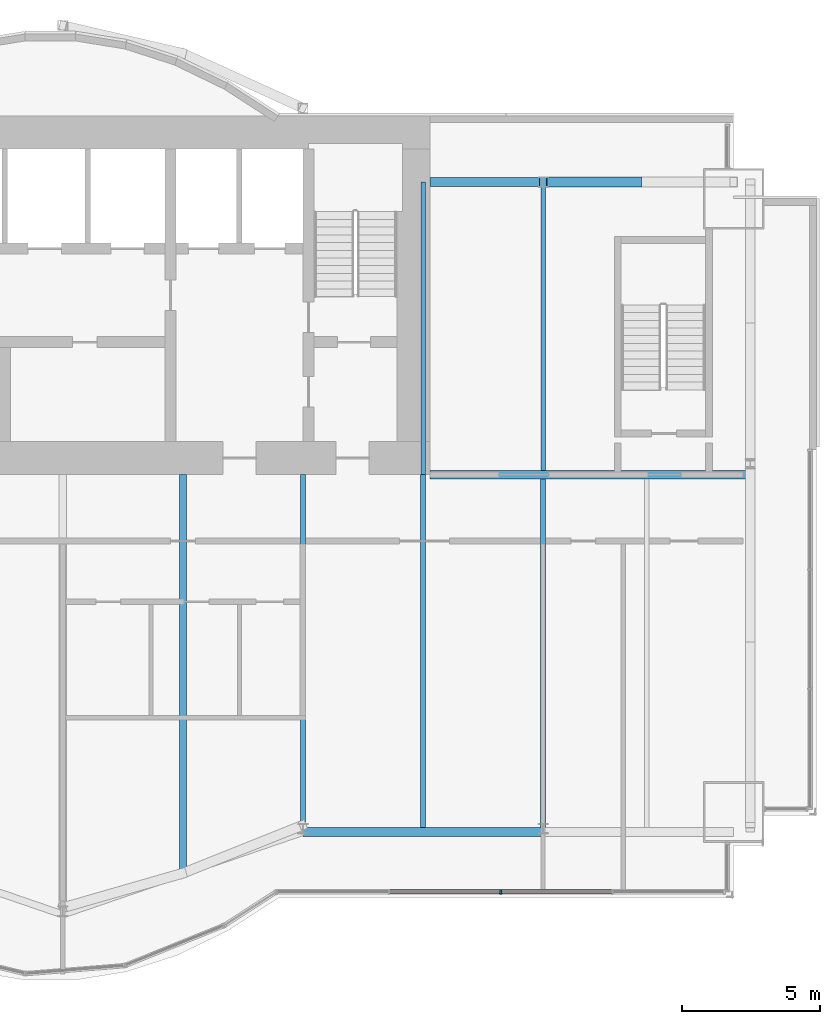
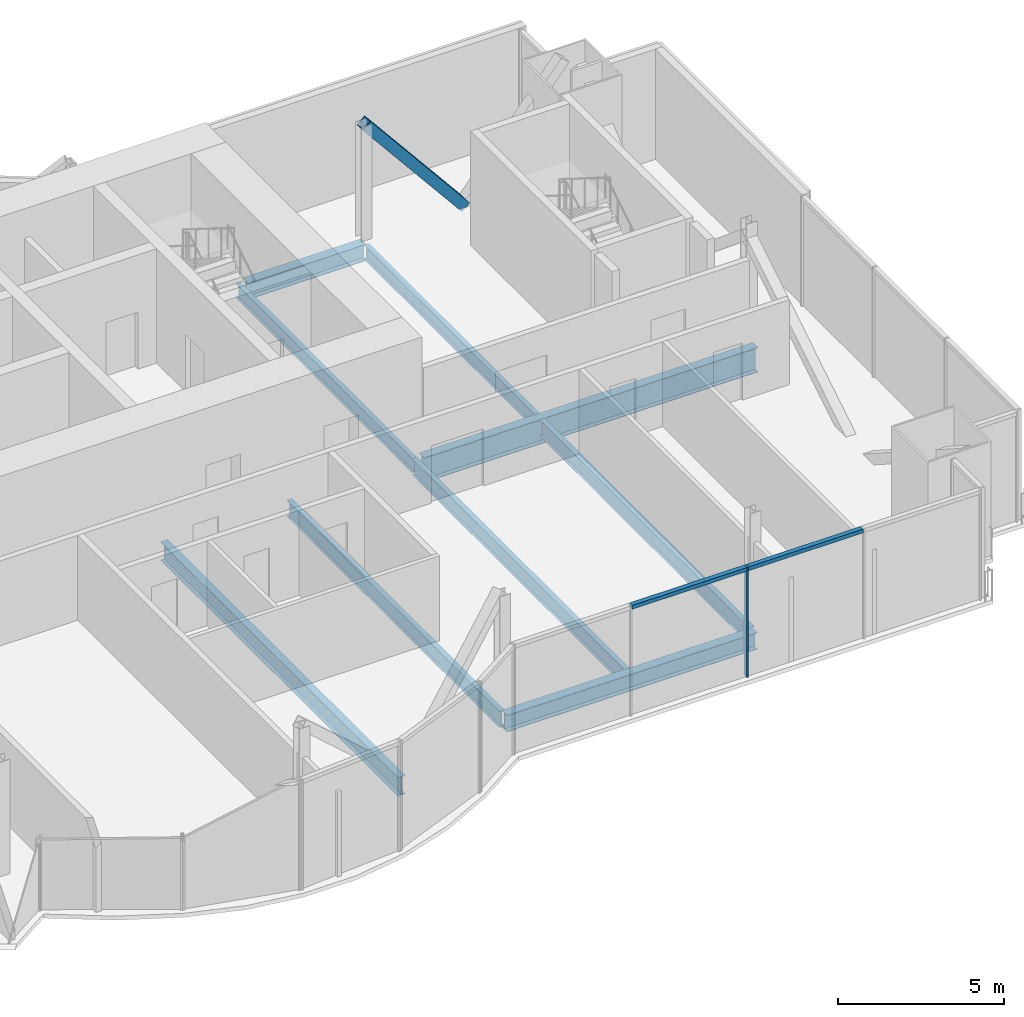
# One storey, part 9 of 19: 9 beams, 4 members, 1 element without a shape of its own.
"""IFC4 building model written with IfcOpenShell, lengths in metres."""

import ifcopenshell
import ifcopenshell.guid

model = None  # the IFC model being written
_history = None  # IfcOwnerHistory: only IFC2X3 demands one
_inside = {}  # id of a spatial element -> (the spatial element, [elements in it])
_under = {}  # id of a project, library or spatial element -> (it, [spatial elements below it])
_declared = {}  # id of a project -> (the project, [libraries it declares])
_typed = {}  # id of a type object -> (the type object, [elements of that type])
_made_of = {}  # id of a material, layer set ... -> (it, [elements and type objects made of it])


def new_model(schema):
    """Start an empty IFC model of exactly this schema.

    Asked for "IFC4X3", IfcOpenShell would pick the latest addendum, in which some entities
    have other attributes; the version numbers below select the first issue.
    IFC2X3 requires an IfcOwnerHistory on every rooted entity: one is made here for all.
    """
    global model, _history
    if schema == "IFC4X3":
        model = ifcopenshell.file(schema_version=(4, 3, 0, 0))
    else:
        model = ifcopenshell.file(schema=schema)
    _inside.clear()
    _under.clear()
    _declared.clear()
    _typed.clear()
    _made_of.clear()
    _history = None
    if model.schema == "IFC2X3":
        org = make("IfcOrganization", Name="unknown")
        user = make(
            "IfcPersonAndOrganization",
            ThePerson=make("IfcPerson", FamilyName="unknown"),
            TheOrganization=org,
        )
        app = make(
            "IfcApplication",
            ApplicationDeveloper=org,
            Version="unknown",
            ApplicationFullName="unknown",
            ApplicationIdentifier="unknown",
        )
        _history = make(
            "IfcOwnerHistory",
            OwningUser=user,
            OwningApplication=app,
            ChangeAction="ADDED",
            CreationDate=0,
        )
    return model


def make(cls, **values):
    """One entity of the class cls with the attributes given. An attribute that is None is left unset."""
    return model.create_entity(
        cls, **{name: value for name, value in values.items() if value is not None}
    )


def rooted(cls, **values):
    """An entity with a GlobalId (a new one), such as an element, a storey or a relation."""
    return make(cls, GlobalId=ifcopenshell.guid.new(), OwnerHistory=_history, **values)


def si_unit(unit_type, name, prefix=None):
    """IfcSIUnit, for example si_unit("LENGTHUNIT", "METRE", prefix="MILLI")."""
    return make("IfcSIUnit", UnitType=unit_type, Prefix=prefix, Name=name)


def assignment(units):
    """IfcUnitAssignment: the units of a project."""
    return None if units is None else make("IfcUnitAssignment", Units=units)


def point(xyz):
    """IfcCartesianPoint."""
    return None if xyz is None else make("IfcCartesianPoint", Coordinates=xyz)


def direction(xyz):
    """IfcDirection."""
    return None if xyz is None else make("IfcDirection", DirectionRatios=xyz)


def frame(location, z_axis=None, x_axis=None):
    """IfcAxis2Placement3D, a coordinate frame: its origin and axes. An axis left out is left unset."""
    return make(
        "IfcAxis2Placement3D",
        Location=point(location),
        Axis=direction(z_axis),
        RefDirection=direction(x_axis),
    )


def frame_2d(location, x_axis=None):
    """IfcAxis2Placement2D, a coordinate frame in the plane: its origin and x axis."""
    return make(
        "IfcAxis2Placement2D", Location=point(location), RefDirection=direction(x_axis)
    )


def origin():
    """The frame at (0, 0, 0) with its axes left unset."""
    return frame((0.0, 0.0, 0.0))


def origin_2d():
    """The frame at (0, 0) in the plane with its x axis left unset."""
    return frame_2d((0.0, 0.0))


def place(relative_to, where):
    """IfcLocalPlacement: puts the frame where relative to a parent placement (None: the world)."""
    return make(
        "IfcLocalPlacement", PlacementRelTo=relative_to, RelativePlacement=where
    )


def context(
    kind, dimensions, precision=None, world=None, true_north=None, identifier=None
):
    """IfcGeometricRepresentationContext, for example the 3D "Model" context."""
    return make(
        "IfcGeometricRepresentationContext",
        ContextIdentifier=identifier,
        ContextType=kind,
        CoordinateSpaceDimension=dimensions,
        Precision=precision,
        WorldCoordinateSystem=world,
        TrueNorth=true_north,
    )


def subcontext(parent, identifier, kind, view, scale=None):
    """IfcGeometricRepresentationSubContext, for example "Body" below "Model"."""
    return make(
        "IfcGeometricRepresentationSubContext",
        ContextIdentifier=identifier,
        ContextType=kind,
        ParentContext=parent,
        TargetScale=scale,
        TargetView=view,
    )


def project(units=None, contexts=None):
    """IfcProject with its units and contexts."""
    return rooted(
        "IfcProject",
        Name="project",
        RepresentationContexts=contexts,
        UnitsInContext=assignment(units),
    )


def spatial(cls, under=None, at=None, **own):
    """A site, building, storey or space (cls), placed at a placement, below another one or the project."""
    s = rooted(cls, ObjectPlacement=at, **own)
    if under is not None:
        _under.setdefault(under.id(), (under, []))[1].append(s)
    return s


def profile(cls, at=None, kind="AREA", **sizes):
    """A parametric profile (cls). Its sizes go by their IFC names, for example OverallWidth=200.0."""
    return make(cls, ProfileType=kind, Position=at, **sizes)


def rectangle(**sizes):
    """IfcRectangleProfileDef."""
    return profile("IfcRectangleProfileDef", **sizes)


def hollow_rectangle(**sizes):
    """IfcRectangleHollowProfileDef."""
    return profile("IfcRectangleHollowProfileDef", **sizes)


def i_section(**sizes):
    """IfcIShapeProfileDef."""
    return profile("IfcIShapeProfileDef", **sizes)


def extrude(swept, where, along, depth):
    """IfcExtrudedAreaSolid: the profile swept, set in the frame where, extruded along a direction by depth."""
    return make(
        "IfcExtrudedAreaSolid",
        SweptArea=swept,
        Position=where,
        ExtrudedDirection=direction(along),
        Depth=depth,
    )


def shape(context_of_items, identifier, shape_type, items):
    """IfcShapeRepresentation: the items that make up one representation, for example the "Body"."""
    return make(
        "IfcShapeRepresentation",
        ContextOfItems=context_of_items,
        RepresentationIdentifier=identifier,
        RepresentationType=shape_type,
        Items=items,
    )


def material(Name=None, Category=None):
    """IfcMaterial."""
    return make("IfcMaterial", Name=Name, Category=Category)


def material_profile(
    of_material, cross_section, Name=None, Category=None, Priority=None
):
    """IfcMaterialProfile: a cross section and its material."""
    return make(
        "IfcMaterialProfile",
        Name=Name,
        Material=of_material,
        Profile=cross_section,
        Priority=Priority,
        Category=Category,
    )


def profile_set(profiles, Name=None, composite=None):
    """IfcMaterialProfileSet."""
    return make(
        "IfcMaterialProfileSet",
        Name=Name,
        MaterialProfiles=profiles,
        CompositeProfile=composite,
    )


def made_of(thing, what):
    """Note that an element or type object is made of a material, layer set ...; save() writes the relation."""
    if what is not None:
        _made_of.setdefault(what.id(), (what, []))[1].append(thing)
    return thing


def type_object(cls, material=None, **own):
    """A type object (cls), such as IfcWallType, which elements share."""
    return made_of(rooted(cls, **own), material)


def element(
    cls,
    number,
    at=None,
    inside=None,
    cuts=None,
    type_object=None,
    material=None,
    context=None,
    identifier="Body",
    shape_type=None,
    held_by="IfcProductDefinitionShape",
    body=None,
    shapes=None,
    **own,
):
    """One element of the class cls, such as IfcWall. Its Tag is "e" and its number.

    at: its placement. inside: the storey or other place that contains it. cuts: it is an
    opening in that element (IfcRelVoidsElement). A single representation is given by context,
    identifier, shape_type and body (its items); several are given by shapes. held_by: the class
    of the entity that holds the representations. save() writes the other relations.
    """
    e = rooted(cls, Tag="e%d" % number, ObjectPlacement=at, **own)
    if body is not None:
        shapes = [shape(context, identifier, shape_type, body)]
    if shapes is not None:
        e.Representation = make(held_by, Representations=shapes)
    if inside is not None:
        _inside.setdefault(inside.id(), (inside, []))[1].append(e)
    if cuts is not None:
        rooted(
            "IfcRelVoidsElement", RelatingBuildingElement=cuts, RelatedOpeningElement=e
        )
    if type_object is not None:
        _typed.setdefault(type_object.id(), (type_object, []))[1].append(e)
    return made_of(e, material)


def aggregate(whole, parts):
    """IfcRelAggregates: a whole, such as a stair, and the parts it consists of."""
    return rooted("IfcRelAggregates", RelatingObject=whole, RelatedObjects=parts)


def save(model, path):
    """Write the relations noted so far, then the file.

    IfcRelAggregates (storeys below a building ...), IfcRelContainedInSpatialStructure (elements
    in a storey), IfcRelDefinesByType, IfcRelAssociatesMaterial and IfcRelDeclares: one each for
    every whole, place, type object, material and project.
    """
    for whole, parts in _under.values():
        aggregate(whole, parts)
    for where, things in _inside.values():
        rooted(
            "IfcRelContainedInSpatialStructure",
            RelatedElements=things,
            RelatingStructure=where,
        )
    for kind, things in _typed.values():
        rooted("IfcRelDefinesByType", RelatedObjects=things, RelatingType=kind)
    for what, things in _made_of.values():
        rooted("IfcRelAssociatesMaterial", RelatedObjects=things, RelatingMaterial=what)
    for by, libraries in _declared.values():
        rooted("IfcRelDeclares", RelatingContext=by, RelatedDefinitions=libraries)
    model.write(path)


model = new_model("IFC4")

# Units and contexts
model_context = context("Model", 3, precision=1e-05, world=origin(), true_north=direction((0.0, 1.0)))
body_context = subcontext(model_context, "Body", "Model", "MODEL_VIEW")
ifc_project = project(units=[si_unit("LENGTHUNIT", "METRE"), si_unit("AREAUNIT", "SQUARE_METRE"), si_unit("VOLUMEUNIT", "CUBIC_METRE"), si_unit("PLANEANGLEUNIT", "RADIAN"), si_unit("MASSUNIT", "GRAM", prefix="KILO")], contexts=[model_context])

# Site, building, storey
site_placement = place(None, origin())
site = spatial("IfcSite", under=ifc_project, at=site_placement, CompositionType="ELEMENT")
building_placement = place(site_placement, origin())
building = spatial("IfcBuilding", under=site, at=building_placement, Name="Bicima Exchange Tower", CompositionType="ELEMENT")
storey_placement = place(building_placement, frame((0.0, 0.0, 275.0)))
storey = spatial("IfcBuildingStorey", under=building, at=storey_placement, Name="L62", CompositionType="ELEMENT", Elevation=275.0)

# Beams
ifc_material_1 = material(Name="Steel ASTM A992 Gr 50", Category="steel")
ifc_material_profile_1 = material_profile(ifc_material_1, i_section(OverallWidth=0.3046875, OverallDepth=0.911865234375, WebThickness=0.015869140625, FlangeThickness=0.02392578125, at=origin_2d()))
ifc_profile_set_1 = profile_set([ifc_material_profile_1], Name="Steel ASTM A992 Gr 50")
beam_type_1 = type_object("IfcBeamType", Name="Core-line girder W36x150", PredefinedType="BEAM", material=ifc_profile_set_1)
beam_1_placement = place(storey_placement, frame((22.0, -13.0, -0.60595703125), z_axis=(1.0, 0.0, 0.0), x_axis=(0.0, 1.0, 0.0)))
element("IfcBeam", 1, at=beam_1_placement, inside=storey, type_object=beam_type_1, Name="Core-line girder", PredefinedType="BEAM", context=body_context, shape_type="SweptSolid", body=[
    extrude(i_section(OverallWidth=0.3046875, OverallDepth=0.911865234375, WebThickness=0.015869140625, FlangeThickness=0.02392578125, at=origin_2d()), origin(), (0.0, 0.0, 1.0), 11.60009765625),
])
ifc_material_profile_2 = material_profile(ifc_material_1, i_section(OverallWidth=0.165771484375, OverallDepth=0.5283203125, WebThickness=0.009765625, FlangeThickness=0.013671875, at=origin_2d()))
ifc_profile_set_2 = profile_set([ifc_material_profile_2], Name="Steel ASTM A992 Gr 50")
beam_type_2 = type_object("IfcBeamType", Name="Floor beam W21x50", PredefinedType="JOIST", material=ifc_profile_set_2)
beam_2_placement = place(storey_placement, frame((21.75, -2.39990234375, -0.414306640625), z_axis=(0.0, -1.0, 0.0), x_axis=(1.0, 0.0, 0.0)))
element("IfcBeam", 2, at=beam_2_placement, inside=storey, type_object=beam_type_2, Name="Floor beam", PredefinedType="JOIST", context=body_context, shape_type="SweptSolid", body=[
    extrude(i_section(OverallWidth=0.165771484375, OverallDepth=0.5283203125, WebThickness=0.009765625, FlangeThickness=0.013671875, at=origin_2d()), origin(), (0.0, 0.0, 1.0), 10.60009765625),
])
beam_3_placement = place(storey_placement, frame((26.10009765625, -2.5625, -0.414306640625), z_axis=(0.0, -1.0, 0.0), x_axis=(1.0, 0.0, 0.0)))
element("IfcBeam", 3, at=beam_3_placement, inside=storey, type_object=beam_type_2, Name="Floor beam", PredefinedType="JOIST", context=body_context, shape_type="SweptSolid", body=[
    extrude(i_section(OverallWidth=0.165771484375, OverallDepth=0.5283203125, WebThickness=0.009765625, FlangeThickness=0.013671875, at=origin_2d()), origin(), (0.0, 0.0, 1.0), 10.28515625),
])
ifc_material_profile_3 = material_profile(ifc_material_1, i_section(OverallWidth=0.177978515625, OverallDepth=0.599365234375, WebThickness=0.010009765625, FlangeThickness=0.012939453125, at=origin_2d()))
ifc_profile_set_3 = profile_set([ifc_material_profile_3], Name="Steel ASTM A992 Gr 50")
beam_type_3 = type_object("IfcBeamType", Name="Floor beam W24x55", PredefinedType="JOIST", material=ifc_profile_set_3)
beam_4_placement = place(storey_placement, frame((17.39990234375, -13.0, -0.44970703125), z_axis=(0.0, -1.0, 0.0), x_axis=(1.0, 0.0, 0.0)))
element("IfcBeam", 4, at=beam_4_placement, inside=storey, type_object=beam_type_3, Name="Floor beam", PredefinedType="JOIST", context=body_context, shape_type="SweptSolid", body=[
    extrude(i_section(OverallWidth=0.177978515625, OverallDepth=0.599365234375, WebThickness=0.010009765625, FlangeThickness=0.012939453125, at=origin_2d()), origin(), (0.0, 0.0, 1.0), 12.80029296875),
])
beam_5_placement = place(storey_placement, frame((21.75, -13.0, -0.44970703125), z_axis=(0.0, -1.0, 0.0), x_axis=(1.0, 0.0, 0.0)))
element("IfcBeam", 5, at=beam_5_placement, inside=storey, type_object=beam_type_3, Name="Floor beam", PredefinedType="JOIST", context=body_context, shape_type="SweptSolid", body=[
    extrude(i_section(OverallWidth=0.177978515625, OverallDepth=0.599365234375, WebThickness=0.010009765625, FlangeThickness=0.012939453125, at=origin_2d()), origin(), (0.0, 0.0, 1.0), 12.7734375),
])
beam_6_placement = place(storey_placement, frame((26.10009765625, -13.15234375, -0.44970703125), z_axis=(0.0, -1.0, 0.0), x_axis=(1.0, 0.0, 0.0)))
element("IfcBeam", 6, at=beam_6_placement, inside=storey, type_object=beam_type_3, Name="Floor beam", PredefinedType="JOIST", context=body_context, shape_type="SweptSolid", body=[
    extrude(i_section(OverallWidth=0.177978515625, OverallDepth=0.599365234375, WebThickness=0.010009765625, FlangeThickness=0.012939453125, at=origin_2d()), origin(), (0.0, 0.0, 1.0), 12.62109375),
])
ifc_material_profile_4 = material_profile(ifc_material_1, i_section(OverallWidth=0.25390625, OverallDepth=0.67822265625, WebThickness=0.01171875, FlangeThickness=0.016357421875, at=origin_2d()))
ifc_profile_set_4 = profile_set([ifc_material_profile_4], Name="Steel ASTM A992 Gr 50")
beam_type_4 = type_object("IfcBeamType", Name="Floor beam W27x84", PredefinedType="JOIST", material=ifc_profile_set_4)
beam_7_placement = place(storey_placement, frame((13.050048828125, -13.0, -0.489013671875), z_axis=(0.0, -1.0, 0.0), x_axis=(1.0, 0.0, 0.0)))
element("IfcBeam", 7, at=beam_7_placement, inside=storey, type_object=beam_type_4, Name="Floor beam", PredefinedType="JOIST", context=body_context, shape_type="SweptSolid", body=[
    extrude(i_section(OverallWidth=0.25390625, OverallDepth=0.67822265625, WebThickness=0.01171875, FlangeThickness=0.016357421875, at=origin_2d()), origin(), (0.0, 0.0, 1.0), 14.2958984375),
])
ifc_material_profile_5 = material_profile(ifc_material_1, i_section(OverallWidth=0.3251953125, OverallDepth=0.612060546875, WebThickness=0.0126953125, FlangeThickness=0.01904296875, at=origin_2d()))
ifc_profile_set_5 = profile_set([ifc_material_profile_5], Name="Steel ASTM A992 Gr 50")
beam_type_5 = type_object("IfcBeamType", Name="Front girder W24x104", PredefinedType="BEAM", material=ifc_profile_set_5)
beam_8_placement = place(storey_placement, frame((17.39990234375, -25.93603515625, -0.4560546875), z_axis=(1.0, 0.0, 0.0), x_axis=(0.0, 1.0, 0.0)))
element("IfcBeam", 8, at=beam_8_placement, inside=storey, type_object=beam_type_5, Name="Front girder", PredefinedType="BEAM", context=body_context, shape_type="SweptSolid", body=[
    extrude(i_section(OverallWidth=0.3251953125, OverallDepth=0.612060546875, WebThickness=0.0126953125, FlangeThickness=0.01904296875, at=origin_2d()), origin(), (0.0, 0.0, 1.0), 8.7001953125),
])

# Curtain wall, members
ifc_material_2 = material(Name="Anodised bronze aluminium", Category="aluminium")
curtain_wall_type = type_object("IfcCurtainWallType", Name="Front glass wall", PredefinedType="NOTDEFINED", material=ifc_material_2)
curtain_wall_placement = place(storey_placement, origin())
curtain_wall = element("IfcCurtainWall", 9, at=curtain_wall_placement, inside=storey, type_object=curtain_wall_type, Name="Front glass wall L62 run 16", PredefinedType="NOTDEFINED")
ifc_material_profile_6 = material_profile(ifc_material_2, rectangle(XDim=0.159912109375, YDim=0.06005859375, at=origin_2d()))
ifc_profile_set_6 = profile_set([ifc_material_profile_6], Name="Anodised bronze aluminium")
member_type_1 = type_object("IfcMemberType", Name="Front glass wall mullion 60 x 160", PredefinedType="MULLION", material=ifc_profile_set_6)
member_1_placement = place(storey_placement, frame((24.56103515625, -28.10595703125, 0.0), z_axis=(0.0, 0.0, 1.0), x_axis=(0.0, 1.0, 0.0)))
member_1 = element("IfcMember", 10, at=member_1_placement, type_object=member_type_1, Name="Front glass wall mullion 3", PredefinedType="MULLION", context=body_context, shape_type="SweptSolid", body=[
    extrude(rectangle(XDim=0.159912109375, YDim=0.06005859375, at=origin_2d()), origin(), (0.0, 0.0, 1.0), 4.050048828125),
])
ifc_material_profile_7 = material_profile(ifc_material_2, rectangle(XDim=0.159912109375, YDim=0.139892578125, at=origin_2d()))
ifc_profile_set_7 = profile_set([ifc_material_profile_7], Name="Anodised bronze aluminium")
member_type_2 = type_object("IfcMemberType", Name="Front glass wall transom 140 x 160", PredefinedType="USERDEFINED", material=ifc_profile_set_7)
member_2_placement = place(storey_placement, frame((20.54150390625, -28.10595703125, 3.97998046875), z_axis=(1.0, 0.0, 0.0), x_axis=(0.0, 1.0, 0.0)))
member_2 = element("IfcMember", 11, at=member_2_placement, type_object=member_type_2, Name="Front glass wall transom 2.1", ObjectType="TRANSOM", PredefinedType="USERDEFINED", context=body_context, shape_type="SweptSolid", body=[
    extrude(rectangle(XDim=0.159912109375, YDim=0.139892578125, at=origin_2d()), origin(), (0.0, 0.0, 1.0), 3.989501953125),
])
member_3_placement = place(storey_placement, frame((24.591064453125, -28.10595703125, 3.97998046875), z_axis=(1.0, 0.0, 0.0), x_axis=(0.0, 1.0, 0.0)))
member_3 = element("IfcMember", 12, at=member_3_placement, type_object=member_type_2, Name="Front glass wall transom 3.1", ObjectType="TRANSOM", PredefinedType="USERDEFINED", context=body_context, shape_type="SweptSolid", body=[
    extrude(rectangle(XDim=0.159912109375, YDim=0.139892578125, at=origin_2d()), origin(), (0.0, 0.0, 1.0), 3.989501953125),
])
aggregate(curtain_wall, [member_1, member_2, member_3])

# Member
ifc_material_3 = material(Name="Steel ASTM A572 Gr 50", Category="steel")
ifc_material_profile_8 = material_profile(ifc_material_3, hollow_rectangle(XDim=0.355712890625, YDim=0.355712890625, WallThickness=0.0146484375, at=origin_2d()))
ifc_profile_set_8 = profile_set([ifc_material_profile_8], Name="Steel ASTM A572 Gr 50")
member_type_3 = type_object("IfcMemberType", Name="Mega brace HSS14x14x5/8", PredefinedType="BRACE", material=ifc_profile_set_8)
member_4_placement = place(storey_placement, frame((29.550048828125, -2.39990234375, 0.0), z_axis=(-0.63473846547, 0.0, 0.772727041362), x_axis=(0.0, -1.0, 0.0)))
element("IfcMember", 13, at=member_4_placement, inside=storey, type_object=member_type_3, Name="Mega brace rear", PredefinedType="BRACE", context=body_context, shape_type="SweptSolid", body=[
    extrude(hollow_rectangle(XDim=0.355712890625, YDim=0.355712890625, WallThickness=0.0146484375, at=origin_2d()), origin(), (0.0, 0.0, 1.0), 5.435302734375),
])

# Beam
beam_type_6 = type_object("IfcBeamType", Name="Rear girder W24x104", PredefinedType="BEAM", material=ifc_profile_set_5)
beam_9_placement = place(storey_placement, frame((22.0, -2.39990234375, -0.4560546875), z_axis=(1.0, 0.0, 0.0), x_axis=(0.0, 1.0, 0.0)))
element("IfcBeam", 14, at=beam_9_placement, inside=storey, type_object=beam_type_6, Name="Rear girder", PredefinedType="BEAM", context=body_context, shape_type="SweptSolid", body=[
    extrude(i_section(OverallWidth=0.3251953125, OverallDepth=0.612060546875, WebThickness=0.0126953125, FlangeThickness=0.01904296875, at=origin_2d()), origin(), (0.0, 0.0, 1.0), 4.10009765625),
])

save(model, "model.ifc")
